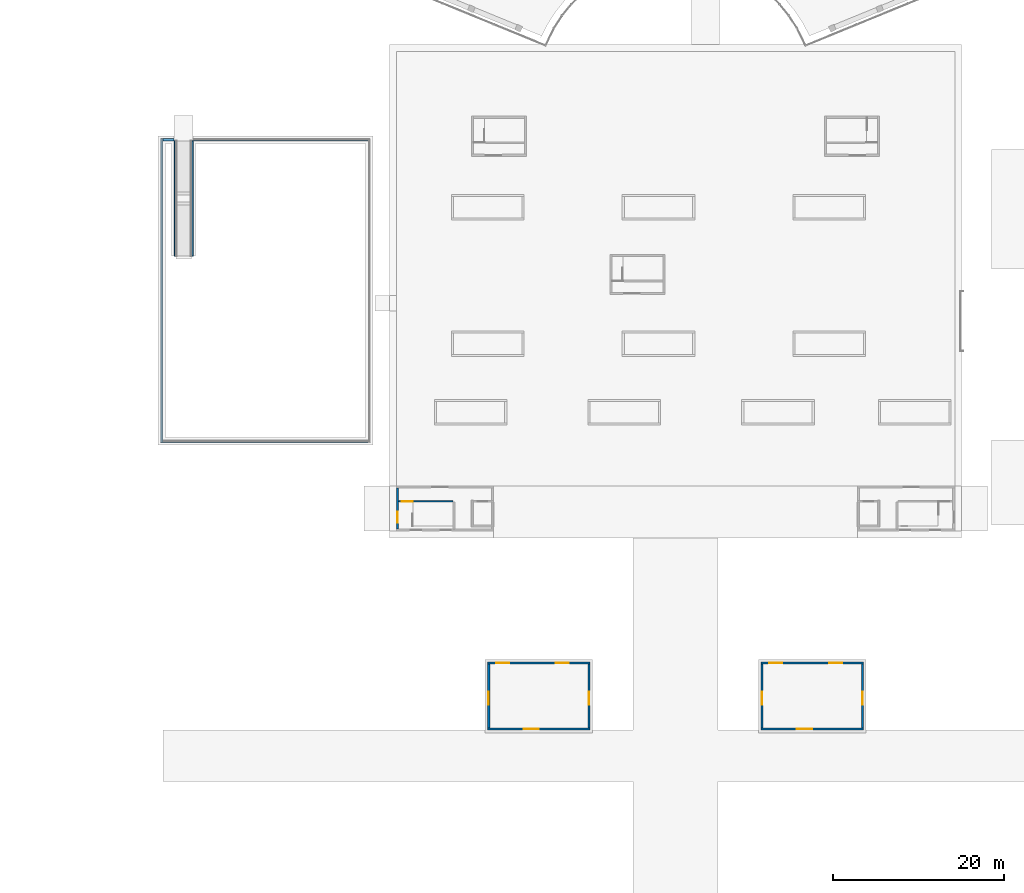
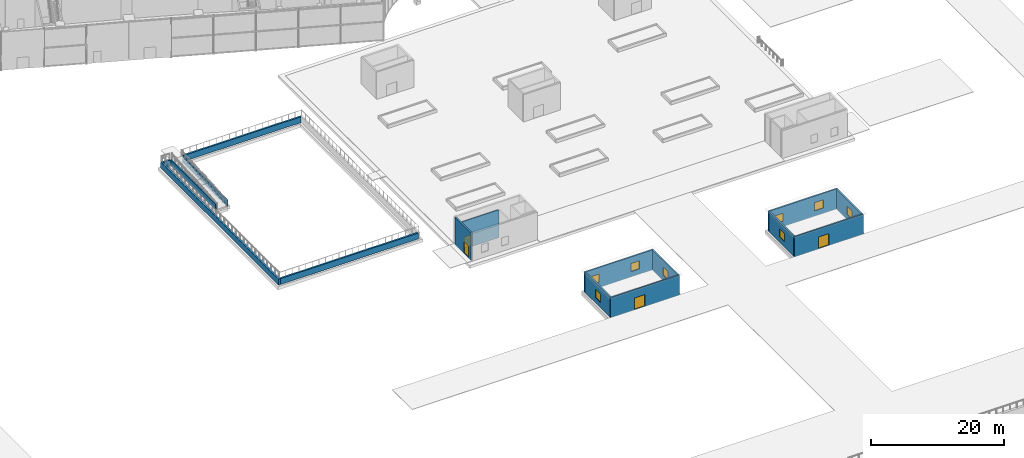
# One storey, part 24 of 60: 16 walls, 8 windows, 4 doors, 12 openings.
"""IFC4 building model written with IfcOpenShell, lengths in metres."""

from ifc_helpers import new_model, si_unit, direction, frame, frame_2d, origin, place, context, subcontext, project, spatial, rectangle, extrude, material, layer, layer_set, type_object, element, fill, save


model = new_model("IFC4")

# Units and contexts
model_context = context("Model", 3, precision=1e-05, world=origin(), true_north=direction((0.0, 1.0)))
body_context = subcontext(model_context, "Body", "Model", "MODEL_VIEW")
ifc_project = project(units=[si_unit("LENGTHUNIT", "METRE"), si_unit("AREAUNIT", "SQUARE_METRE"), si_unit("VOLUMEUNIT", "CUBIC_METRE"), si_unit("PLANEANGLEUNIT", "RADIAN"), si_unit("MASSUNIT", "GRAM", prefix="KILO")], contexts=[model_context])

# Site, building, storey
site_placement = place(None, origin())
site = spatial("IfcSite", under=ifc_project, at=site_placement, CompositionType="ELEMENT")
building_placement = place(site_placement, origin())
building = spatial("IfcBuilding", under=site, at=building_placement, Name="Stone Belt Terrace Tower", CompositionType="ELEMENT")
storey_placement = place(building_placement, origin())
storey = spatial("IfcBuildingStorey", under=building, at=storey_placement, Name="L00", CompositionType="ELEMENT", Elevation=0.0)

# Wall, opening, door
ifc_material_1 = material(Name="Concrete B30", Category="concrete")
ifc_layer_1 = layer(ifc_material_1, 0.199951171875)
ifc_layer_set_1 = layer_set([ifc_layer_1], Name="Car park core wall 200 variant B")
wall_type_1 = type_object("IfcWallType", Name="Car park core wall 200 variant B", PredefinedType="SOLIDWALL", material=ifc_layer_set_1)
wall_1_placement = place(storey_placement, frame((-32.449951171875, -47.199951171875, -0.10009765625), z_axis=(0.0, 0.0, 1.0), x_axis=(1.0, 0.0, 0.0)))
wall_1 = element("IfcWall", 1, at=wall_1_placement, inside=storey, type_object=wall_type_1, Name="Car park stair 1 wall", PredefinedType="SOLIDWALL", context=body_context, shape_type="SweptSolid", body=[
    extrude(rectangle(XDim=6.409912109375, YDim=0.199951171875, at=frame_2d((3.205078125, 0.0))), origin(), (0.0, 0.0, 1.0), 5.10009765625),
])
opening_1_placement = place(wall_1_placement, frame((0.39990234375, 0.0, 0.10009765625)))
opening_1 = element("IfcOpeningElement", 2, at=opening_1_placement, cuts=wall_1, Name="Opening L00-S08", PredefinedType="OPENING", context=body_context, shape_type="SweptSolid", body=[
    extrude(rectangle(XDim=1.300048828125, YDim=2.10009765625, at=frame_2d((0.64990234375, 1.050048828125))), frame((0.0, 0.10986328125, 0.0), z_axis=(0.0, -1.0, 0.0), x_axis=(1.0, 0.0, 0.0)), (0.0, 0.0, 1.0), 0.219970703125),
])
ifc_material_2 = material(Name="Steel door leaf", Category="steel")
door_type_1 = type_object("IfcDoorType", Name="Core door 1300 fire rated", OperationType="NOTDEFINED", PredefinedType="DOOR", material=ifc_material_2)
door_1_placement = place(opening_1_placement, origin())
door_1 = element("IfcDoor", 3, at=door_1_placement, inside=storey, type_object=door_type_1, Name="Stair 1 door", OperationType="SINGLE_SWING_LEFT", OverallHeight=2.10009765625, OverallWidth=1.300048828125, PredefinedType="DOOR", context=body_context, shape_type="SweptSolid", body=[
    extrude(rectangle(XDim=1.300048828125, YDim=2.10009765625, at=frame_2d((0.64990234375, 1.050048828125))), frame((0.0, 0.02490234375, 0.0), z_axis=(0.0, -1.0, 0.0), x_axis=(1.0, 0.0, 0.0)), (0.0, 0.0, 1.0), 0.050048828125),
])
fill(opening_1, door_1)

ifc_material_3 = material(Name="Blockwork", Category="masonry")
ifc_layer_2 = layer(ifc_material_3, 0.25)
ifc_layer_set_2 = layer_set([ifc_layer_2], Name="Car park head house wall 250")
wall_type_2 = type_object("IfcWallType", Name="Car park head house wall 250", PredefinedType="STANDARD", material=ifc_layer_set_2)
wall_2_placement = place(storey_placement, frame((-32.574951171875, -50.449951171875, -0.10009765625), z_axis=(0.0, 0.0, 1.0), x_axis=(0.0, 1.0, 0.0)))
wall_2 = element("IfcWall", 4, at=wall_2_placement, inside=storey, type_object=wall_type_2, Name="Car park stair and lift house 1 wall", PredefinedType="STANDARD", context=body_context, shape_type="SweptSolid", body=[
    extrude(rectangle(XDim=4.800048828125, YDim=0.25, at=frame_2d((2.39990234375, 0.0))), origin(), (0.0, 0.0, 1.0), 5.10009765625),
])
opening_2_placement = place(wall_2_placement, frame((0.75, 0.0, 0.10009765625)))
opening_2 = element("IfcOpeningElement", 5, at=opening_2_placement, cuts=wall_2, Name="Opening L00-S07", PredefinedType="OPENING", context=body_context, shape_type="SweptSolid", body=[
    extrude(rectangle(XDim=1.300048828125, YDim=2.10009765625, at=frame_2d((0.64990234375, 1.050048828125))), frame((0.0, 0.135009765625, 0.0), z_axis=(0.0, -1.0, 0.0), x_axis=(1.0, 0.0, 0.0)), (0.0, 0.0, 1.0), 0.27001953125),
])
door_2_placement = place(opening_2_placement, origin())
door_2 = element("IfcDoor", 6, at=door_2_placement, inside=storey, type_object=door_type_1, Name="Car park stair and lift house 1 garden exit", OperationType="SINGLE_SWING_LEFT", OverallHeight=2.10009765625, OverallWidth=1.300048828125, PredefinedType="DOOR", context=body_context, shape_type="SweptSolid", body=[
    extrude(rectangle(XDim=1.300048828125, YDim=2.10009765625, at=frame_2d((0.64990234375, 1.050048828125))), frame((0.0, 0.02490234375, 0.0), z_axis=(0.0, -1.0, 0.0), x_axis=(1.0, 0.0, 0.0)), (0.0, 0.0, 1.0), 0.050048828125),
])
fill(opening_2, door_2)

# Walls
ifc_layer_3 = layer(ifc_material_1, 0.300048828125)
ifc_layer_set_3 = layer_set([ifc_layer_3], Name="Court retaining wall 300")
wall_type_3 = type_object("IfcWallType", Name="Court retaining wall 300", PredefinedType="SOLIDWALL", material=ifc_layer_set_3)
wall_3_placement = place(storey_placement, frame((-60.14990234375, -40.300048828125, -1.10009765625), z_axis=(0.0, 0.0, 1.0), x_axis=(0.0, 1.0, 0.0)))
element("IfcWall", 7, at=wall_3_placement, inside=storey, type_object=wall_type_3, Name="Rain garden court retaining wall", PredefinedType="SOLIDWALL", context=body_context, shape_type="SweptSolid", body=[
    extrude(rectangle(XDim=35.60009765625, YDim=0.300048828125, at=frame_2d((17.800048828125, 0.0))), origin(), (0.0, 0.0, 1.0), 1.10009765625),
])
wall_4_placement = place(storey_placement, frame((-60.0, -40.14990234375, -1.10009765625), z_axis=(0.0, 0.0, 1.0), x_axis=(1.0, 0.0, 0.0)))
element("IfcWall", 8, at=wall_4_placement, inside=storey, type_object=wall_type_3, Name="Rain garden court retaining wall", PredefinedType="SOLIDWALL", context=body_context, shape_type="SweptSolid", body=[
    extrude(rectangle(XDim=24.0, YDim=0.300048828125, at=frame_2d((12.0, 0.0))), origin(), (0.0, 0.0, 1.0), 1.10009765625),
])
wall_5_placement = place(storey_placement, frame((-60.0, -4.85009765625, -1.10009765625), z_axis=(0.0, 0.0, 1.0), x_axis=(1.0, 0.0, 0.0)))
element("IfcWall", 9, at=wall_5_placement, inside=storey, type_object=wall_type_3, Name="Rain garden court retaining wall", PredefinedType="SOLIDWALL", context=body_context, shape_type="SweptSolid", body=[
    extrude(rectangle(XDim=1.300048828125, YDim=0.300048828125, at=frame_2d((0.64990234375, 0.0))), origin(), (0.0, 0.0, 1.0), 1.10009765625),
])
wall_6_placement = place(storey_placement, frame((-56.5, -4.85009765625, -1.10009765625), z_axis=(0.0, 0.0, 1.0), x_axis=(1.0, 0.0, 0.0)))
element("IfcWall", 10, at=wall_6_placement, inside=storey, type_object=wall_type_3, Name="Rain garden court retaining wall", PredefinedType="SOLIDWALL", context=body_context, shape_type="SweptSolid", body=[
    extrude(rectangle(XDim=20.5, YDim=0.300048828125, at=frame_2d((10.25, 0.0))), origin(), (0.0, 0.0, 1.0), 1.10009765625),
])

# Wall, opening, door
ifc_layer_4 = layer(ifc_material_3, 0.25)
ifc_layer_set_4 = layer_set([ifc_layer_4], Name="Pavilion wall 250")
wall_type_4 = type_object("IfcWallType", Name="Pavilion wall 250", PredefinedType="STANDARD", material=ifc_layer_set_4)
wall_7_placement = place(storey_placement, frame((-22.0, -73.875, -0.10009765625), z_axis=(0.0, 0.0, 1.0), x_axis=(1.0, 0.0, 0.0)))
wall_7 = element("IfcWall", 11, at=wall_7_placement, inside=storey, type_object=wall_type_4, Name="Garden pavilion A wall", PredefinedType="STANDARD", context=body_context, shape_type="SweptSolid", body=[
    extrude(rectangle(XDim=12.0, YDim=0.25, at=frame_2d((6.0, 0.0))), origin(), (0.0, 0.0, 1.0), 3.7001953125),
])
opening_3_placement = place(wall_7_placement, frame((4.199951171875, 0.0, 0.10009765625)))
opening_3 = element("IfcOpeningElement", 12, at=opening_3_placement, cuts=wall_7, Name="Opening L00-S15", PredefinedType="OPENING", context=body_context, shape_type="SweptSolid", body=[
    extrude(rectangle(XDim=1.800048828125, YDim=2.10009765625, at=frame_2d((0.89990234375, 1.050048828125))), frame((0.0, 0.135009765625, 0.0), z_axis=(0.0, -1.0, 0.0), x_axis=(1.0, 0.0, 0.0)), (0.0, 0.0, 1.0), 0.27001953125),
])
ifc_material_4 = material(Name="Aluminium framed door leaf", Category="aluminium")
door_type_2 = type_object("IfcDoorType", Name="Pavilion door pair 1800", OperationType="NOTDEFINED", PredefinedType="DOOR", material=ifc_material_4)
door_3_placement = place(opening_3_placement, origin())
door_3 = element("IfcDoor", 13, at=door_3_placement, inside=storey, type_object=door_type_2, Name="Garden pavilion A entrance", OperationType="DOUBLE_DOOR_DOUBLE_SWING", OverallHeight=2.10009765625, OverallWidth=1.800048828125, PredefinedType="DOOR", context=body_context, shape_type="SweptSolid", body=[
    extrude(rectangle(XDim=1.800048828125, YDim=2.10009765625, at=frame_2d((0.89990234375, 1.050048828125))), frame((0.0, 0.02490234375, 0.0), z_axis=(0.0, -1.0, 0.0), x_axis=(1.0, 0.0, 0.0)), (0.0, 0.0, 1.0), 0.050048828125),
])
fill(opening_3, door_3)

# Wall, openings, windows
wall_8_placement = place(storey_placement, frame((-22.0, -66.125, -0.10009765625), z_axis=(0.0, 0.0, 1.0), x_axis=(1.0, 0.0, 0.0)))
wall_8 = element("IfcWall", 14, at=wall_8_placement, inside=storey, type_object=wall_type_4, Name="Garden pavilion A wall", PredefinedType="STANDARD", context=body_context, shape_type="SweptSolid", body=[
    extrude(rectangle(XDim=12.0, YDim=0.25, at=frame_2d((6.0, 0.0))), origin(), (0.0, 0.0, 1.0), 3.7001953125),
])
opening_4_placement = place(wall_8_placement, frame((1.0, 0.0, 1.0)))
opening_4 = element("IfcOpeningElement", 15, at=opening_4_placement, cuts=wall_8, Name="Opening STX1", PredefinedType="OPENING", context=body_context, shape_type="SweptSolid", body=[
    extrude(rectangle(XDim=1.5, YDim=1.5, at=frame_2d((0.75, 0.75))), frame((0.0, 0.135009765625, 0.0), z_axis=(0.0, -1.0, 0.0), x_axis=(1.0, 0.0, 0.0)), (0.0, 0.0, 1.0), 0.27001953125),
])
opening_5_placement = place(wall_8_placement, frame((8.0, 0.0, 1.0)))
opening_5 = element("IfcOpeningElement", 16, at=opening_5_placement, cuts=wall_8, Name="Opening STX1", PredefinedType="OPENING", context=body_context, shape_type="SweptSolid", body=[
    extrude(rectangle(XDim=1.5, YDim=1.5, at=frame_2d((0.75, 0.75))), frame((0.0, 0.135009765625, 0.0), z_axis=(0.0, -1.0, 0.0), x_axis=(1.0, 0.0, 0.0)), (0.0, 0.0, 1.0), 0.27001953125),
])
ifc_material_5 = material(Name="Glass in aluminium frame", Category="aluminium")
window_type = type_object("IfcWindowType", Name="Pavilion window 1500 x 1500", PartitioningType="SINGLE_PANEL", PredefinedType="WINDOW", material=ifc_material_5)
window_1_placement = place(opening_4_placement, origin())
window_1 = element("IfcWindow", 17, at=window_1_placement, inside=storey, type_object=window_type, Name="Garden pavilion A window", OverallHeight=1.5, OverallWidth=1.5, PartitioningType="SINGLE_PANEL", PredefinedType="WINDOW", context=body_context, shape_type="SweptSolid", body=[
    extrude(rectangle(XDim=1.5, YDim=1.5, at=frame_2d((0.75, 0.75))), frame((0.0, 0.030029296875, 0.0), z_axis=(0.0, -1.0, 0.0), x_axis=(1.0, 0.0, 0.0)), (0.0, 0.0, 1.0), 0.06005859375),
])
fill(opening_4, window_1)
window_2_placement = place(opening_5_placement, origin())
window_2 = element("IfcWindow", 18, at=window_2_placement, inside=storey, type_object=window_type, Name="Garden pavilion A window", OverallHeight=1.5, OverallWidth=1.5, PartitioningType="SINGLE_PANEL", PredefinedType="WINDOW", context=body_context, shape_type="SweptSolid", body=[
    extrude(rectangle(XDim=1.5, YDim=1.5, at=frame_2d((0.75, 0.75))), frame((0.0, 0.030029296875, 0.0), z_axis=(0.0, -1.0, 0.0), x_axis=(1.0, 0.0, 0.0)), (0.0, 0.0, 1.0), 0.06005859375),
])
fill(opening_5, window_2)

# Wall, opening, window
wall_9_placement = place(storey_placement, frame((-21.875, -73.75, -0.10009765625), z_axis=(0.0, 0.0, 1.0), x_axis=(0.0, 1.0, 0.0)))
wall_9 = element("IfcWall", 19, at=wall_9_placement, inside=storey, type_object=wall_type_4, Name="Garden pavilion A wall", PredefinedType="STANDARD", context=body_context, shape_type="SweptSolid", body=[
    extrude(rectangle(XDim=7.5, YDim=0.25, at=frame_2d((3.75, 0.0))), origin(), (0.0, 0.0, 1.0), 3.7001953125),
])
opening_6_placement = place(wall_9_placement, frame((2.75, 0.0, 1.0)))
opening_6 = element("IfcOpeningElement", 20, at=opening_6_placement, cuts=wall_9, Name="Opening STX1", PredefinedType="OPENING", context=body_context, shape_type="SweptSolid", body=[
    extrude(rectangle(XDim=1.5, YDim=1.5, at=frame_2d((0.75, 0.75))), frame((0.0, 0.135009765625, 0.0), z_axis=(0.0, -1.0, 0.0), x_axis=(1.0, 0.0, 0.0)), (0.0, 0.0, 1.0), 0.27001953125),
])
window_3_placement = place(opening_6_placement, origin())
window_3 = element("IfcWindow", 21, at=window_3_placement, inside=storey, type_object=window_type, Name="Garden pavilion A window", OverallHeight=1.5, OverallWidth=1.5, PartitioningType="SINGLE_PANEL", PredefinedType="WINDOW", context=body_context, shape_type="SweptSolid", body=[
    extrude(rectangle(XDim=1.5, YDim=1.5, at=frame_2d((0.75, 0.75))), frame((0.0, 0.030029296875, 0.0), z_axis=(0.0, -1.0, 0.0), x_axis=(1.0, 0.0, 0.0)), (0.0, 0.0, 1.0), 0.06005859375),
])
fill(opening_6, window_3)

wall_10_placement = place(storey_placement, frame((-10.125, -73.75, -0.10009765625), z_axis=(0.0, 0.0, 1.0), x_axis=(0.0, 1.0, 0.0)))
wall_10 = element("IfcWall", 22, at=wall_10_placement, inside=storey, type_object=wall_type_4, Name="Garden pavilion A wall", PredefinedType="STANDARD", context=body_context, shape_type="SweptSolid", body=[
    extrude(rectangle(XDim=7.5, YDim=0.25, at=frame_2d((3.75, 0.0))), origin(), (0.0, 0.0, 1.0), 3.7001953125),
])
opening_7_placement = place(wall_10_placement, frame((2.75, 0.0, 1.0)))
opening_7 = element("IfcOpeningElement", 23, at=opening_7_placement, cuts=wall_10, Name="Opening STX1", PredefinedType="OPENING", context=body_context, shape_type="SweptSolid", body=[
    extrude(rectangle(XDim=1.5, YDim=1.5, at=frame_2d((0.75, 0.75))), frame((0.0, 0.135009765625, 0.0), z_axis=(0.0, -1.0, 0.0), x_axis=(1.0, 0.0, 0.0)), (0.0, 0.0, 1.0), 0.27001953125),
])
window_4_placement = place(opening_7_placement, origin())
window_4 = element("IfcWindow", 24, at=window_4_placement, inside=storey, type_object=window_type, Name="Garden pavilion A window", OverallHeight=1.5, OverallWidth=1.5, PartitioningType="SINGLE_PANEL", PredefinedType="WINDOW", context=body_context, shape_type="SweptSolid", body=[
    extrude(rectangle(XDim=1.5, YDim=1.5, at=frame_2d((0.75, 0.75))), frame((0.0, 0.030029296875, 0.0), z_axis=(0.0, -1.0, 0.0), x_axis=(1.0, 0.0, 0.0)), (0.0, 0.0, 1.0), 0.06005859375),
])
fill(opening_7, window_4)

# Wall, opening, door
wall_11_placement = place(storey_placement, frame((10.0, -73.875, -0.10009765625), z_axis=(0.0, 0.0, 1.0), x_axis=(1.0, 0.0, 0.0)))
wall_11 = element("IfcWall", 25, at=wall_11_placement, inside=storey, type_object=wall_type_4, Name="Garden pavilion B wall", PredefinedType="STANDARD", context=body_context, shape_type="SweptSolid", body=[
    extrude(rectangle(XDim=12.0, YDim=0.25, at=frame_2d((6.0, 0.0))), origin(), (0.0, 0.0, 1.0), 3.7001953125),
])
opening_8_placement = place(wall_11_placement, frame((4.199951171875, 0.0, 0.10009765625)))
opening_8 = element("IfcOpeningElement", 26, at=opening_8_placement, cuts=wall_11, Name="Opening L00-S16", PredefinedType="OPENING", context=body_context, shape_type="SweptSolid", body=[
    extrude(rectangle(XDim=1.800048828125, YDim=2.10009765625, at=frame_2d((0.89990234375, 1.050048828125))), frame((0.0, 0.135009765625, 0.0), z_axis=(0.0, -1.0, 0.0), x_axis=(1.0, 0.0, 0.0)), (0.0, 0.0, 1.0), 0.27001953125),
])
door_4_placement = place(opening_8_placement, origin())
door_4 = element("IfcDoor", 27, at=door_4_placement, inside=storey, type_object=door_type_2, Name="Garden pavilion B entrance", OperationType="DOUBLE_DOOR_DOUBLE_SWING", OverallHeight=2.10009765625, OverallWidth=1.800048828125, PredefinedType="DOOR", context=body_context, shape_type="SweptSolid", body=[
    extrude(rectangle(XDim=1.800048828125, YDim=2.10009765625, at=frame_2d((0.89990234375, 1.050048828125))), frame((0.0, 0.02490234375, 0.0), z_axis=(0.0, -1.0, 0.0), x_axis=(1.0, 0.0, 0.0)), (0.0, 0.0, 1.0), 0.050048828125),
])
fill(opening_8, door_4)

# Wall, openings, windows
wall_12_placement = place(storey_placement, frame((10.0, -66.125, -0.10009765625), z_axis=(0.0, 0.0, 1.0), x_axis=(1.0, 0.0, 0.0)))
wall_12 = element("IfcWall", 28, at=wall_12_placement, inside=storey, type_object=wall_type_4, Name="Garden pavilion B wall", PredefinedType="STANDARD", context=body_context, shape_type="SweptSolid", body=[
    extrude(rectangle(XDim=12.0, YDim=0.25, at=frame_2d((6.0, 0.0))), origin(), (0.0, 0.0, 1.0), 3.7001953125),
])
opening_9_placement = place(wall_12_placement, frame((1.0, 0.0, 1.0)))
opening_9 = element("IfcOpeningElement", 29, at=opening_9_placement, cuts=wall_12, Name="Opening STX1", PredefinedType="OPENING", context=body_context, shape_type="SweptSolid", body=[
    extrude(rectangle(XDim=1.5, YDim=1.5, at=frame_2d((0.75, 0.75))), frame((0.0, 0.135009765625, 0.0), z_axis=(0.0, -1.0, 0.0), x_axis=(1.0, 0.0, 0.0)), (0.0, 0.0, 1.0), 0.27001953125),
])
opening_10_placement = place(wall_12_placement, frame((8.0, 0.0, 1.0)))
opening_10 = element("IfcOpeningElement", 30, at=opening_10_placement, cuts=wall_12, Name="Opening STX1", PredefinedType="OPENING", context=body_context, shape_type="SweptSolid", body=[
    extrude(rectangle(XDim=1.5, YDim=1.5, at=frame_2d((0.75, 0.75))), frame((0.0, 0.135009765625, 0.0), z_axis=(0.0, -1.0, 0.0), x_axis=(1.0, 0.0, 0.0)), (0.0, 0.0, 1.0), 0.27001953125),
])
window_5_placement = place(opening_9_placement, origin())
window_5 = element("IfcWindow", 31, at=window_5_placement, inside=storey, type_object=window_type, Name="Garden pavilion B window", OverallHeight=1.5, OverallWidth=1.5, PartitioningType="SINGLE_PANEL", PredefinedType="WINDOW", context=body_context, shape_type="SweptSolid", body=[
    extrude(rectangle(XDim=1.5, YDim=1.5, at=frame_2d((0.75, 0.75))), frame((0.0, 0.030029296875, 0.0), z_axis=(0.0, -1.0, 0.0), x_axis=(1.0, 0.0, 0.0)), (0.0, 0.0, 1.0), 0.06005859375),
])
fill(opening_9, window_5)
window_6_placement = place(opening_10_placement, origin())
window_6 = element("IfcWindow", 32, at=window_6_placement, inside=storey, type_object=window_type, Name="Garden pavilion B window", OverallHeight=1.5, OverallWidth=1.5, PartitioningType="SINGLE_PANEL", PredefinedType="WINDOW", context=body_context, shape_type="SweptSolid", body=[
    extrude(rectangle(XDim=1.5, YDim=1.5, at=frame_2d((0.75, 0.75))), frame((0.0, 0.030029296875, 0.0), z_axis=(0.0, -1.0, 0.0), x_axis=(1.0, 0.0, 0.0)), (0.0, 0.0, 1.0), 0.06005859375),
])
fill(opening_10, window_6)

# Wall, opening, window
wall_13_placement = place(storey_placement, frame((10.125, -73.75, -0.10009765625), z_axis=(0.0, 0.0, 1.0), x_axis=(0.0, 1.0, 0.0)))
wall_13 = element("IfcWall", 33, at=wall_13_placement, inside=storey, type_object=wall_type_4, Name="Garden pavilion B wall", PredefinedType="STANDARD", context=body_context, shape_type="SweptSolid", body=[
    extrude(rectangle(XDim=7.5, YDim=0.25, at=frame_2d((3.75, 0.0))), origin(), (0.0, 0.0, 1.0), 3.7001953125),
])
opening_11_placement = place(wall_13_placement, frame((2.75, 0.0, 1.0)))
opening_11 = element("IfcOpeningElement", 34, at=opening_11_placement, cuts=wall_13, Name="Opening STX1", PredefinedType="OPENING", context=body_context, shape_type="SweptSolid", body=[
    extrude(rectangle(XDim=1.5, YDim=1.5, at=frame_2d((0.75, 0.75))), frame((0.0, 0.135009765625, 0.0), z_axis=(0.0, -1.0, 0.0), x_axis=(1.0, 0.0, 0.0)), (0.0, 0.0, 1.0), 0.27001953125),
])
window_7_placement = place(opening_11_placement, origin())
window_7 = element("IfcWindow", 35, at=window_7_placement, inside=storey, type_object=window_type, Name="Garden pavilion B window", OverallHeight=1.5, OverallWidth=1.5, PartitioningType="SINGLE_PANEL", PredefinedType="WINDOW", context=body_context, shape_type="SweptSolid", body=[
    extrude(rectangle(XDim=1.5, YDim=1.5, at=frame_2d((0.75, 0.75))), frame((0.0, 0.030029296875, 0.0), z_axis=(0.0, -1.0, 0.0), x_axis=(1.0, 0.0, 0.0)), (0.0, 0.0, 1.0), 0.06005859375),
])
fill(opening_11, window_7)

wall_14_placement = place(storey_placement, frame((21.875, -73.75, -0.10009765625), z_axis=(0.0, 0.0, 1.0), x_axis=(0.0, 1.0, 0.0)))
wall_14 = element("IfcWall", 36, at=wall_14_placement, inside=storey, type_object=wall_type_4, Name="Garden pavilion B wall", PredefinedType="STANDARD", context=body_context, shape_type="SweptSolid", body=[
    extrude(rectangle(XDim=7.5, YDim=0.25, at=frame_2d((3.75, 0.0))), origin(), (0.0, 0.0, 1.0), 3.7001953125),
])
opening_12_placement = place(wall_14_placement, frame((2.75, 0.0, 1.0)))
opening_12 = element("IfcOpeningElement", 37, at=opening_12_placement, cuts=wall_14, Name="Opening STX1", PredefinedType="OPENING", context=body_context, shape_type="SweptSolid", body=[
    extrude(rectangle(XDim=1.5, YDim=1.5, at=frame_2d((0.75, 0.75))), frame((0.0, 0.135009765625, 0.0), z_axis=(0.0, -1.0, 0.0), x_axis=(1.0, 0.0, 0.0)), (0.0, 0.0, 1.0), 0.27001953125),
])
window_8_placement = place(opening_12_placement, origin())
window_8 = element("IfcWindow", 38, at=window_8_placement, inside=storey, type_object=window_type, Name="Garden pavilion B window", OverallHeight=1.5, OverallWidth=1.5, PartitioningType="SINGLE_PANEL", PredefinedType="WINDOW", context=body_context, shape_type="SweptSolid", body=[
    extrude(rectangle(XDim=1.5, YDim=1.5, at=frame_2d((0.75, 0.75))), frame((0.0, 0.030029296875, 0.0), z_axis=(0.0, -1.0, 0.0), x_axis=(1.0, 0.0, 0.0)), (0.0, 0.0, 1.0), 0.06005859375),
])
fill(opening_12, window_8)

# Walls
ifc_layer_5 = layer(ifc_material_1, 0.199951171875)
ifc_layer_set_5 = layer_set([ifc_layer_5], Name="Ramp kerb wall 200")
wall_type_5 = type_object("IfcWallType", Name="Ramp kerb wall 200", PredefinedType="SOLIDWALL", material=ifc_layer_set_5)
for number, where, z_axis, x_axis, name in (
    (39, (-58.60009765625, -18.5, -1.10009765625), (0.0, 0.0, 1.0), (0.0, 1.0, 0.0), "Rain garden court ramp kerb wall"),
    (40, (-56.60009765625, -18.5, -1.10009765625), (0.0, 0.0, 1.0), (0.0, 1.0, 0.0), "Rain garden court ramp kerb wall"),
):
    element("IfcWall", number, at=place(storey_placement, frame(where, z_axis=z_axis, x_axis=x_axis)), inside=storey, type_object=wall_type_5, Name=name, PredefinedType="SOLIDWALL", context=body_context, shape_type="SweptSolid", body=[
        extrude(rectangle(XDim=13.5, YDim=0.199951171875, at=frame_2d((6.75, 0.0))), origin(), (0.0, 0.0, 1.0), 1.10009765625),
    ])

save(model, "model.ifc")
